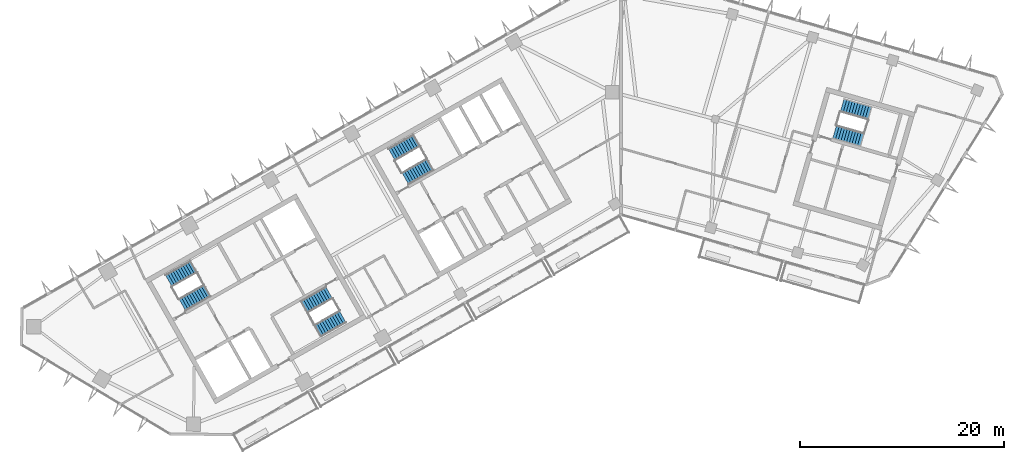
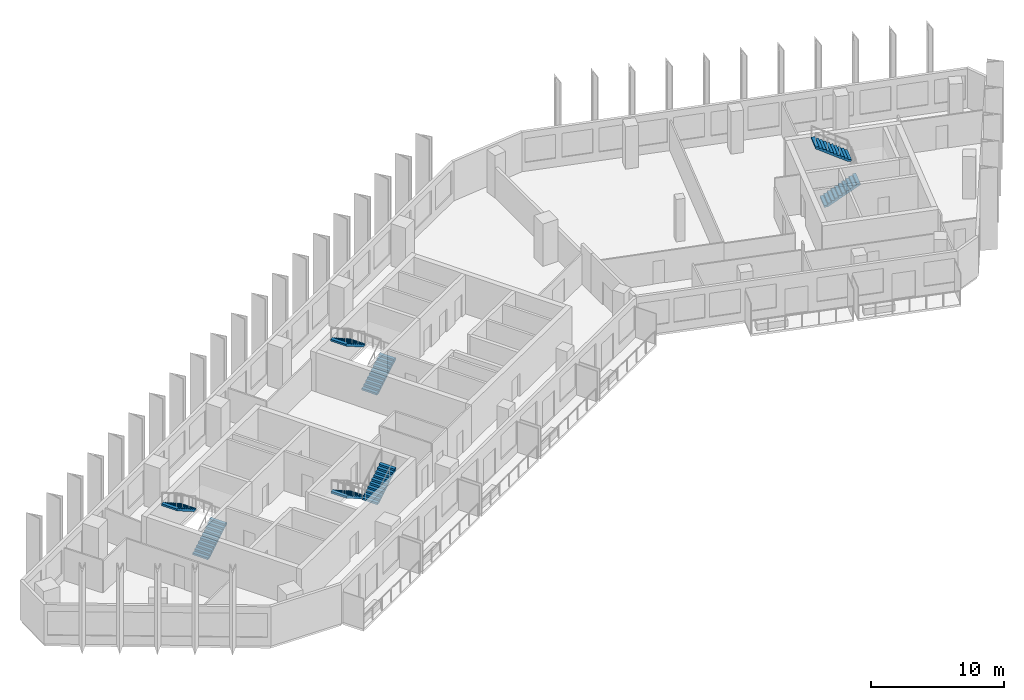
# One storey, part 9 of 12: 8 stair flights, 4 elements without a shape of their own.
"""IFC4 building model written with IfcOpenShell, lengths in metres."""

from ifc_helpers import new_model, si_unit, direction, frame, origin, place, context, subcontext, project, spatial, polyline, outline, extrude, material, type_object, element, aggregate, save


model = new_model("IFC4")

# Units and contexts
model_context = context("Model", 3, precision=1e-05, world=origin(), true_north=direction((0.0, 1.0)))
body_context = subcontext(model_context, "Body", "Model", "MODEL_VIEW")
ifc_project = project(units=[si_unit("LENGTHUNIT", "METRE"), si_unit("AREAUNIT", "SQUARE_METRE"), si_unit("VOLUMEUNIT", "CUBIC_METRE"), si_unit("PLANEANGLEUNIT", "RADIAN"), si_unit("MASSUNIT", "GRAM", prefix="KILO")], contexts=[model_context])

# Site, building, storey
site_placement = place(None, origin())
site = spatial("IfcSite", under=ifc_project, at=site_placement, CompositionType="ELEMENT")
building_placement = place(site_placement, origin())
building = spatial("IfcBuilding", under=site, at=building_placement, Name="Binnacle Exchange Tower", CompositionType="ELEMENT")
storey_placement = place(building_placement, frame((0.0, 0.0, 238.699951171875)))
storey = spatial("IfcBuildingStorey", under=building, at=storey_placement, Name="L52", CompositionType="ELEMENT", Elevation=238.699951171875)

# Stair, stair flights
ifc_material = material(Name="Concrete C35/45", Category="concrete")
stair_type = type_object("IfcStairType", Name="STAIR 22 RISERS 177", PredefinedType="HALF_TURN_STAIR", material=ifc_material)
stair_1_placement = place(storey_placement, origin())
stair_1 = element("IfcStair", 1, at=stair_1_placement, inside=storey, type_object=stair_type, Name="L52 Escape stair A1", PredefinedType="HALF_TURN_STAIR")
stair_flight_type = type_object("IfcStairFlightType", Name="STAIR FLIGHT 177X280", PredefinedType="STRAIGHT", material=ifc_material)
stair_flight_1_placement = place(storey_placement, frame((-42.9541015625, 39.17333984375, 0.0), z_axis=(0.0, 0.0, 1.0), x_axis=(0.870355584213, 0.492423757581, 0.0)))
stair_flight_1 = element("IfcStairFlight", 2, at=stair_flight_1_placement, type_object=stair_flight_type, Name="STA1 flight 1", NumberOfRisers=11, NumberOfTreads=10, PredefinedType="STRAIGHT", RiserHeight=0.177272727, TreadLength=0.28, context=body_context, shape_type="SweptSolid", body=[
    extrude(outline(polyline([(0.0, 0.0), (0.0, 0.17724609375), (0.280029296875, 0.17724609375), (0.280029296875, 0.3544921875), (0.56005859375, 0.3544921875), (0.56005859375, 0.53173828125), (0.840087890625, 0.53173828125), (0.840087890625, 0.708984375), (1.1201171875, 0.708984375), (1.1201171875, 0.886474609375), (1.39990234375, 0.886474609375), (1.39990234375, 1.063720703125), (1.679931640625, 1.063720703125), (1.679931640625, 1.240966796875), (1.9599609375, 1.240966796875), (1.9599609375, 1.418212890625), (2.239990234375, 1.418212890625), (2.239990234375, 1.595458984375), (2.52001953125, 1.595458984375), (2.52001953125, 1.772705078125), (2.800048828125, 1.772705078125), (2.800048828125, 1.949951171875), (2.800048828125, 1.59521484375), (0.2802734375, 0.0), (0.0, 0.0)])), frame((0.0, 0.675048828125, 0.0), z_axis=(0.0, -1.0, 0.0), x_axis=(1.0, 0.0, 0.0)), (0.0, 0.0, 1.0), 1.35009765625),
])
stair_flight_2_placement = place(storey_placement, frame((-41.846435546875, 42.902099609375, 1.949951171875), z_axis=(0.0, 0.0, 1.0), x_axis=(-0.870355584213, -0.492423757581, 0.0)))
stair_flight_2 = element("IfcStairFlight", 3, at=stair_flight_2_placement, type_object=stair_flight_type, Name="STA1 flight 2", NumberOfRisers=11, NumberOfTreads=10, PredefinedType="STRAIGHT", RiserHeight=0.177272727, TreadLength=0.28, context=body_context, shape_type="SweptSolid", body=[
    extrude(outline(polyline([(0.0, 0.0), (0.0, 0.17724609375), (0.280029296875, 0.17724609375), (0.280029296875, 0.3544921875), (0.56005859375, 0.3544921875), (0.56005859375, 0.53173828125), (0.840087890625, 0.53173828125), (0.840087890625, 0.708984375), (1.1201171875, 0.708984375), (1.1201171875, 0.886474609375), (1.39990234375, 0.886474609375), (1.39990234375, 1.063720703125), (1.679931640625, 1.063720703125), (1.679931640625, 1.240966796875), (1.9599609375, 1.240966796875), (1.9599609375, 1.418212890625), (2.239990234375, 1.418212890625), (2.239990234375, 1.595458984375), (2.52001953125, 1.595458984375), (2.52001953125, 1.772705078125), (2.800048828125, 1.772705078125), (2.800048828125, 1.949951171875), (2.800048828125, 1.59521484375), (0.2802734375, 0.0), (0.0, 0.0)])), frame((0.0, 0.675048828125, 0.0), z_axis=(0.0, -1.0, 0.0), x_axis=(1.0, 0.0, 0.0)), (0.0, 0.0, 1.0), 1.35009765625),
])
aggregate(stair_1, [stair_flight_1, stair_flight_2])

stair_2_placement = place(storey_placement, origin())
stair_2 = element("IfcStair", 4, at=stair_2_placement, inside=storey, type_object=stair_type, Name="L52 Escape stair A2", PredefinedType="HALF_TURN_STAIR")
stair_flight_3_placement = place(storey_placement, frame((-28.5732421875, 40.3583984375, 0.0), z_axis=(0.0, 0.0, 1.0), x_axis=(-0.870355584213, -0.492423757581, 0.0)))
stair_flight_3 = element("IfcStairFlight", 5, at=stair_flight_3_placement, type_object=stair_flight_type, Name="STA2 flight 1", NumberOfRisers=11, NumberOfTreads=10, PredefinedType="STRAIGHT", RiserHeight=0.177272727, TreadLength=0.28, context=body_context, shape_type="SweptSolid", body=[
    extrude(outline(polyline([(0.0, 0.0), (0.0, 0.17724609375), (0.280029296875, 0.17724609375), (0.280029296875, 0.3544921875), (0.56005859375, 0.3544921875), (0.56005859375, 0.53173828125), (0.840087890625, 0.53173828125), (0.840087890625, 0.708984375), (1.1201171875, 0.708984375), (1.1201171875, 0.886474609375), (1.39990234375, 0.886474609375), (1.39990234375, 1.063720703125), (1.679931640625, 1.063720703125), (1.679931640625, 1.240966796875), (1.9599609375, 1.240966796875), (1.9599609375, 1.418212890625), (2.239990234375, 1.418212890625), (2.239990234375, 1.595458984375), (2.52001953125, 1.595458984375), (2.52001953125, 1.772705078125), (2.800048828125, 1.772705078125), (2.800048828125, 1.949951171875), (2.800048828125, 1.59521484375), (0.2802734375, 0.0), (0.0, 0.0)])), frame((0.0, 0.675048828125, 0.0), z_axis=(0.0, -1.0, 0.0), x_axis=(1.0, 0.0, 0.0)), (0.0, 0.0, 1.0), 1.35009765625),
])
stair_flight_4_placement = place(storey_placement, frame((-29.6806640625, 36.629638671875, 1.949951171875), z_axis=(0.0, 0.0, 1.0), x_axis=(0.870355584213, 0.492423757581, 0.0)))
stair_flight_4 = element("IfcStairFlight", 6, at=stair_flight_4_placement, type_object=stair_flight_type, Name="STA2 flight 2", NumberOfRisers=11, NumberOfTreads=10, PredefinedType="STRAIGHT", RiserHeight=0.177272727, TreadLength=0.28, context=body_context, shape_type="SweptSolid", body=[
    extrude(outline(polyline([(0.0, 0.0), (0.0, 0.17724609375), (0.280029296875, 0.17724609375), (0.280029296875, 0.3544921875), (0.56005859375, 0.3544921875), (0.56005859375, 0.53173828125), (0.840087890625, 0.53173828125), (0.840087890625, 0.708984375), (1.1201171875, 0.708984375), (1.1201171875, 0.886474609375), (1.39990234375, 0.886474609375), (1.39990234375, 1.063720703125), (1.679931640625, 1.063720703125), (1.679931640625, 1.240966796875), (1.9599609375, 1.240966796875), (1.9599609375, 1.418212890625), (2.239990234375, 1.418212890625), (2.239990234375, 1.595458984375), (2.52001953125, 1.595458984375), (2.52001953125, 1.772705078125), (2.800048828125, 1.772705078125), (2.800048828125, 1.949951171875), (2.800048828125, 1.59521484375), (0.2802734375, 0.0), (0.0, 0.0)])), frame((0.0, 0.675048828125, 0.0), z_axis=(0.0, -1.0, 0.0), x_axis=(1.0, 0.0, 0.0)), (0.0, 0.0, 1.0), 1.35009765625),
])
aggregate(stair_2, [stair_flight_3, stair_flight_4])

stair_3_placement = place(storey_placement, origin())
stair_3 = element("IfcStair", 7, at=stair_3_placement, inside=storey, type_object=stair_type, Name="L52 Escape stair C1", PredefinedType="HALF_TURN_STAIR")
stair_flight_5_placement = place(storey_placement, frame((-21.115966796875, 51.528564453125, 0.0), z_axis=(0.0, 0.0, 1.0), x_axis=(0.870355584213, 0.492423757581, 0.0)))
stair_flight_5 = element("IfcStairFlight", 8, at=stair_flight_5_placement, type_object=stair_flight_type, Name="STC1 flight 1", NumberOfRisers=11, NumberOfTreads=10, PredefinedType="STRAIGHT", RiserHeight=0.177272727, TreadLength=0.28, context=body_context, shape_type="SweptSolid", body=[
    extrude(outline(polyline([(0.0, 0.0), (0.0, 0.17724609375), (0.280029296875, 0.17724609375), (0.280029296875, 0.3544921875), (0.56005859375, 0.3544921875), (0.56005859375, 0.53173828125), (0.840087890625, 0.53173828125), (0.840087890625, 0.708984375), (1.1201171875, 0.708984375), (1.1201171875, 0.886474609375), (1.39990234375, 0.886474609375), (1.39990234375, 1.063720703125), (1.679931640625, 1.063720703125), (1.679931640625, 1.240966796875), (1.9599609375, 1.240966796875), (1.9599609375, 1.418212890625), (2.239990234375, 1.418212890625), (2.239990234375, 1.595458984375), (2.52001953125, 1.595458984375), (2.52001953125, 1.772705078125), (2.800048828125, 1.772705078125), (2.800048828125, 1.949951171875), (2.800048828125, 1.59521484375), (0.2802734375, 0.0), (0.0, 0.0)])), frame((0.0, 0.675048828125, 0.0), z_axis=(0.0, -1.0, 0.0), x_axis=(1.0, 0.0, 0.0)), (0.0, 0.0, 1.0), 1.35009765625),
])
stair_flight_6_placement = place(storey_placement, frame((-20.008544921875, 55.25732421875, 1.949951171875), z_axis=(0.0, 0.0, 1.0), x_axis=(-0.870355584213, -0.492423757581, 0.0)))
stair_flight_6 = element("IfcStairFlight", 9, at=stair_flight_6_placement, type_object=stair_flight_type, Name="STC1 flight 2", NumberOfRisers=11, NumberOfTreads=10, PredefinedType="STRAIGHT", RiserHeight=0.177272727, TreadLength=0.28, context=body_context, shape_type="SweptSolid", body=[
    extrude(outline(polyline([(0.0, 0.0), (0.0, 0.17724609375), (0.280029296875, 0.17724609375), (0.280029296875, 0.3544921875), (0.56005859375, 0.3544921875), (0.56005859375, 0.53173828125), (0.840087890625, 0.53173828125), (0.840087890625, 0.708984375), (1.1201171875, 0.708984375), (1.1201171875, 0.886474609375), (1.39990234375, 0.886474609375), (1.39990234375, 1.063720703125), (1.679931640625, 1.063720703125), (1.679931640625, 1.240966796875), (1.9599609375, 1.240966796875), (1.9599609375, 1.418212890625), (2.239990234375, 1.418212890625), (2.239990234375, 1.595458984375), (2.52001953125, 1.595458984375), (2.52001953125, 1.772705078125), (2.800048828125, 1.772705078125), (2.800048828125, 1.949951171875), (2.800048828125, 1.59521484375), (0.2802734375, 0.0), (0.0, 0.0)])), frame((0.0, 0.675048828125, 0.0), z_axis=(0.0, -1.0, 0.0), x_axis=(1.0, 0.0, 0.0)), (0.0, 0.0, 1.0), 1.35009765625),
])
aggregate(stair_3, [stair_flight_5, stair_flight_6])

stair_4_placement = place(storey_placement, origin())
stair_4 = element("IfcStair", 10, at=stair_4_placement, inside=storey, type_object=stair_type, Name="L52 Escape stair D1", PredefinedType="HALF_TURN_STAIR")
stair_flight_7_placement = place(storey_placement, frame((20.914306640625, 56.109619140625, 0.0), z_axis=(0.0, 0.0, 1.0), x_axis=(0.961261811397, -0.275636953165, 0.0)))
stair_flight_7 = element("IfcStairFlight", 11, at=stair_flight_7_placement, type_object=stair_flight_type, Name="STD1 flight 1", NumberOfRisers=11, NumberOfTreads=10, PredefinedType="STRAIGHT", RiserHeight=0.177272727, TreadLength=0.28, context=body_context, shape_type="SweptSolid", body=[
    extrude(outline(polyline([(0.0, 0.0), (0.0, 0.17724609375), (0.280029296875, 0.17724609375), (0.280029296875, 0.3544921875), (0.56005859375, 0.3544921875), (0.56005859375, 0.53173828125), (0.840087890625, 0.53173828125), (0.840087890625, 0.708984375), (1.1201171875, 0.708984375), (1.1201171875, 0.886474609375), (1.39990234375, 0.886474609375), (1.39990234375, 1.063720703125), (1.679931640625, 1.063720703125), (1.679931640625, 1.240966796875), (1.9599609375, 1.240966796875), (1.9599609375, 1.418212890625), (2.239990234375, 1.418212890625), (2.239990234375, 1.595458984375), (2.52001953125, 1.595458984375), (2.52001953125, 1.772705078125), (2.800048828125, 1.772705078125), (2.800048828125, 1.949951171875), (2.800048828125, 1.59521484375), (0.2802734375, 0.0), (0.0, 0.0)])), frame((0.0, 0.675048828125, 0.0), z_axis=(0.0, -1.0, 0.0), x_axis=(1.0, 0.0, 0.0)), (0.0, 0.0, 1.0), 1.35009765625),
])
stair_flight_8_placement = place(storey_placement, frame((24.35009765625, 57.93310546875, 1.949951171875), z_axis=(0.0, 0.0, 1.0), x_axis=(-0.961261811397, 0.275636953165, 0.0)))
stair_flight_8 = element("IfcStairFlight", 12, at=stair_flight_8_placement, type_object=stair_flight_type, Name="STD1 flight 2", NumberOfRisers=11, NumberOfTreads=10, PredefinedType="STRAIGHT", RiserHeight=0.177272727, TreadLength=0.28, context=body_context, shape_type="SweptSolid", body=[
    extrude(outline(polyline([(0.0, 0.0), (0.0, 0.17724609375), (0.280029296875, 0.17724609375), (0.280029296875, 0.3544921875), (0.56005859375, 0.3544921875), (0.56005859375, 0.53173828125), (0.840087890625, 0.53173828125), (0.840087890625, 0.708984375), (1.1201171875, 0.708984375), (1.1201171875, 0.886474609375), (1.39990234375, 0.886474609375), (1.39990234375, 1.063720703125), (1.679931640625, 1.063720703125), (1.679931640625, 1.240966796875), (1.9599609375, 1.240966796875), (1.9599609375, 1.418212890625), (2.239990234375, 1.418212890625), (2.239990234375, 1.595458984375), (2.52001953125, 1.595458984375), (2.52001953125, 1.772705078125), (2.800048828125, 1.772705078125), (2.800048828125, 1.949951171875), (2.800048828125, 1.59521484375), (0.2802734375, 0.0), (0.0, 0.0)])), frame((0.0, 0.675048828125, 0.0), z_axis=(0.0, -1.0, 0.0), x_axis=(1.0, 0.0, 0.0)), (0.0, 0.0, 1.0), 1.35009765625),
])
aggregate(stair_4, [stair_flight_7, stair_flight_8])

save(model, "model.ifc")
